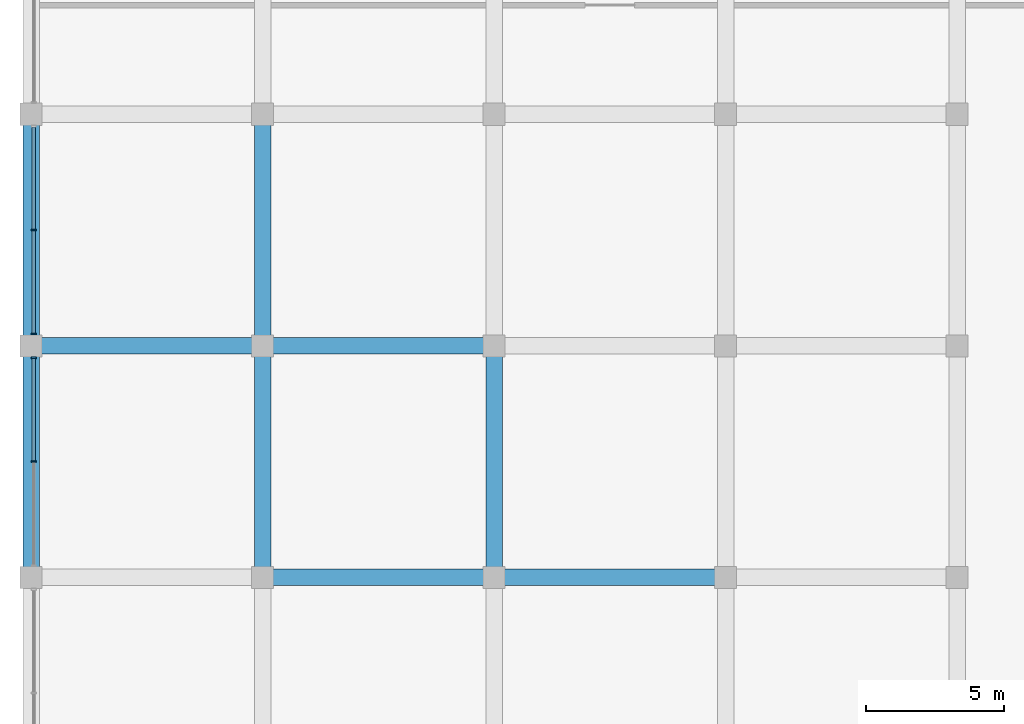
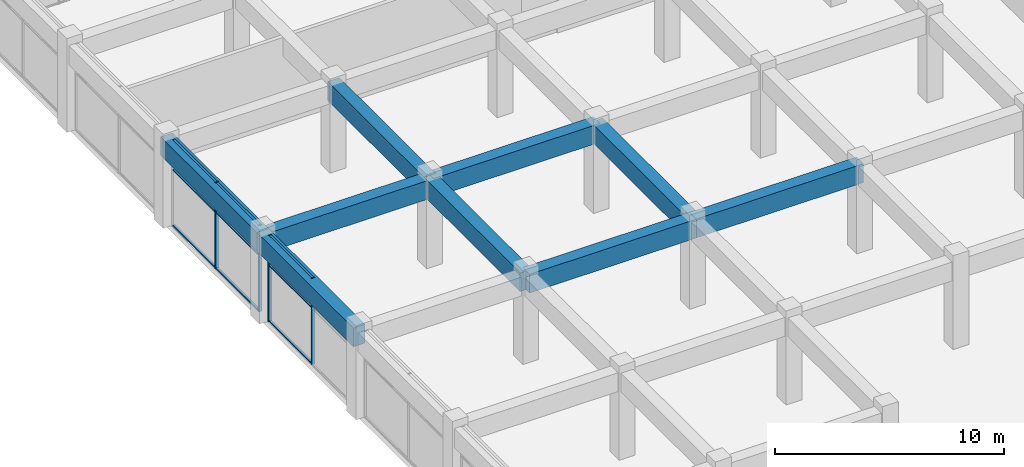
# One storey, part 9 of 33: 13 members, 9 beams, 2 elements without a shape of their own.
"""IFC4 building model written with IfcOpenShell, lengths in metres."""

from ifc_helpers import new_model, si_unit, direction, frame, origin, origin_2d, place, context, subcontext, project, spatial, rectangle, extrude, material, material_profile, profile_set, type_object, element, aggregate, save


model = new_model("IFC4")

# Units and contexts
model_context = context("Model", 3, precision=1e-05, world=origin(), true_north=direction((0.0, 1.0)))
body_context = subcontext(model_context, "Body", "Model", "MODEL_VIEW")
ifc_project = project(units=[si_unit("LENGTHUNIT", "METRE"), si_unit("AREAUNIT", "SQUARE_METRE"), si_unit("VOLUMEUNIT", "CUBIC_METRE"), si_unit("PLANEANGLEUNIT", "RADIAN"), si_unit("MASSUNIT", "GRAM", prefix="KILO")], contexts=[model_context])

# Site, building, storey
site_placement = place(None, origin())
site = spatial("IfcSite", under=ifc_project, at=site_placement, CompositionType="ELEMENT")
building_placement = place(site_placement, origin())
building = spatial("IfcBuilding", under=site, at=building_placement, Name="Impinga Residences", CompositionType="ELEMENT")
storey_placement = place(building_placement, frame((0.0, 0.0, 21.0)))
storey = spatial("IfcBuildingStorey", under=building, at=storey_placement, Name="L04", CompositionType="ELEMENT", Elevation=21.0)

# Curtain wall, members
ifc_material_1 = material(Name="Aluminium stick curtain wall", Category="aluminium")
curtain_wall_type = type_object("IfcCurtainWallType", Name="CW1 podium amenity curtain wall", PredefinedType="USERDEFINED", material=ifc_material_1)
curtain_wall_1_placement = place(storey_placement, origin())
curtain_wall_1 = element("IfcCurtainWall", 1, at=curtain_wall_1_placement, inside=storey, type_object=curtain_wall_type, Name="Curtain wall CW1 L04", ObjectType="STICK CURTAIN WALL", PredefinedType="USERDEFINED")
ifc_material_2 = material(Name="Aluminium mullion", Category="aluminium")
ifc_material_profile_1 = material_profile(ifc_material_2, rectangle(XDim=0.06005859375, YDim=0.179931640625, at=origin_2d()), Name="60x180 mullion")
ifc_profile_set_1 = profile_set([ifc_material_profile_1], Name="Aluminium mullion")
member_type_1 = type_object("IfcMemberType", Name="CW1-M mullion 60x180", PredefinedType="MULLION", material=ifc_profile_set_1)
member_1_placement = place(storey_placement, frame((-50.300048828125, 21.0, 0.0), z_axis=(0.0, 0.0, 1.0), x_axis=(0.0, 1.0, 0.0)))
member_1 = element("IfcMember", 2, at=member_1_placement, type_object=member_type_1, Name="CW1 mullion 2", PredefinedType="MULLION", context=body_context, shape_type="SweptSolid", body=[
    extrude(rectangle(XDim=0.06005859375, YDim=0.179931640625, at=origin_2d()), origin(), (0.0, 0.0, 1.0), 4.60009765625),
])
member_2_placement = place(storey_placement, frame((-50.300048828125, 24.76708984375, 0.0), z_axis=(0.0, 0.0, 1.0), x_axis=(0.0, 1.0, 0.0)))
member_2 = element("IfcMember", 3, at=member_2_placement, type_object=member_type_1, Name="CW1 mullion 3", PredefinedType="MULLION", context=body_context, shape_type="SweptSolid", body=[
    extrude(rectangle(XDim=0.06005859375, YDim=0.179931640625, at=origin_2d()), origin(), (0.0, 0.0, 1.0), 4.60009765625),
])

curtain_wall_2_placement = place(storey_placement, origin())
curtain_wall_2 = element("IfcCurtainWall", 4, at=curtain_wall_2_placement, inside=storey, type_object=curtain_wall_type, Name="Curtain wall CW1 L04", ObjectType="STICK CURTAIN WALL", PredefinedType="USERDEFINED")
member_3_placement = place(storey_placement, frame((-50.300048828125, 25.633056640625, 0.0), z_axis=(0.0, 0.0, 1.0), x_axis=(0.0, 1.0, 0.0)))
member_3 = element("IfcMember", 5, at=member_3_placement, type_object=member_type_1, Name="CW1 mullion 1", PredefinedType="MULLION", context=body_context, shape_type="SweptSolid", body=[
    extrude(rectangle(XDim=0.06005859375, YDim=0.179931640625, at=origin_2d()), origin(), (0.0, 0.0, 1.0), 4.60009765625),
])
member_4_placement = place(storey_placement, frame((-50.300048828125, 29.39990234375, 0.0), z_axis=(0.0, 0.0, 1.0), x_axis=(0.0, 1.0, 0.0)))
member_4 = element("IfcMember", 6, at=member_4_placement, type_object=member_type_1, Name="CW1 mullion 2", PredefinedType="MULLION", context=body_context, shape_type="SweptSolid", body=[
    extrude(rectangle(XDim=0.06005859375, YDim=0.179931640625, at=origin_2d()), origin(), (0.0, 0.0, 1.0), 4.60009765625),
])

# Member
ifc_material_3 = material(Name="Aluminium transom", Category="aluminium")
ifc_material_profile_2 = material_profile(ifc_material_3, rectangle(XDim=0.06005859375, YDim=0.1201171875, at=origin_2d()), Name="60x120 transom")
ifc_profile_set_2 = profile_set([ifc_material_profile_2], Name="Aluminium transom")
member_type_2 = type_object("IfcMemberType", Name="CW1-T transom 60x120", PredefinedType="USERDEFINED", material=ifc_profile_set_2)
member_5_placement = place(storey_placement, frame((-50.300048828125, 21.030029296875, 0.030029296875), z_axis=(0.0, 1.0, 0.0), x_axis=(0.0, 0.0, 1.0)))
member_5 = element("IfcMember", 7, at=member_5_placement, type_object=member_type_2, Name="CW1 transom 2.1", ObjectType="TRANSOM", PredefinedType="USERDEFINED", context=body_context, shape_type="SweptSolid", body=[
    extrude(rectangle(XDim=0.06005859375, YDim=0.1201171875, at=origin_2d()), origin(), (0.0, 0.0, 1.0), 3.70703125),
])

member_6_placement = place(storey_placement, frame((-50.300048828125, 21.030029296875, 3.0), z_axis=(0.0, 1.0, 0.0), x_axis=(0.0, 0.0, 1.0)))
member_6 = element("IfcMember", 8, at=member_6_placement, type_object=member_type_2, Name="CW1 transom 2.2", ObjectType="TRANSOM", PredefinedType="USERDEFINED", context=body_context, shape_type="SweptSolid", body=[
    extrude(rectangle(XDim=0.06005859375, YDim=0.1201171875, at=origin_2d()), origin(), (0.0, 0.0, 1.0), 3.70703125),
])

member_7_placement = place(storey_placement, frame((-50.300048828125, 21.030029296875, 4.570068359375), z_axis=(0.0, 1.0, 0.0), x_axis=(0.0, 0.0, 1.0)))
member_7 = element("IfcMember", 9, at=member_7_placement, type_object=member_type_2, Name="CW1 transom 2.3", ObjectType="TRANSOM", PredefinedType="USERDEFINED", context=body_context, shape_type="SweptSolid", body=[
    extrude(rectangle(XDim=0.06005859375, YDim=0.1201171875, at=origin_2d()), origin(), (0.0, 0.0, 1.0), 3.70703125),
])

aggregate(curtain_wall_1, [member_1, member_2, member_5, member_6, member_7])

member_8_placement = place(storey_placement, frame((-50.300048828125, 25.6630859375, 0.030029296875), z_axis=(0.0, 1.0, 0.0), x_axis=(0.0, 0.0, 1.0)))
member_8 = element("IfcMember", 10, at=member_8_placement, type_object=member_type_2, Name="CW1 transom 1.1", ObjectType="TRANSOM", PredefinedType="USERDEFINED", context=body_context, shape_type="SweptSolid", body=[
    extrude(rectangle(XDim=0.06005859375, YDim=0.1201171875, at=origin_2d()), origin(), (0.0, 0.0, 1.0), 3.70703125),
])

member_9_placement = place(storey_placement, frame((-50.300048828125, 25.6630859375, 3.0), z_axis=(0.0, 1.0, 0.0), x_axis=(0.0, 0.0, 1.0)))
member_9 = element("IfcMember", 11, at=member_9_placement, type_object=member_type_2, Name="CW1 transom 1.2", ObjectType="TRANSOM", PredefinedType="USERDEFINED", context=body_context, shape_type="SweptSolid", body=[
    extrude(rectangle(XDim=0.06005859375, YDim=0.1201171875, at=origin_2d()), origin(), (0.0, 0.0, 1.0), 3.70703125),
])

member_10_placement = place(storey_placement, frame((-50.300048828125, 25.6630859375, 4.570068359375), z_axis=(0.0, 1.0, 0.0), x_axis=(0.0, 0.0, 1.0)))
member_10 = element("IfcMember", 12, at=member_10_placement, type_object=member_type_2, Name="CW1 transom 1.3", ObjectType="TRANSOM", PredefinedType="USERDEFINED", context=body_context, shape_type="SweptSolid", body=[
    extrude(rectangle(XDim=0.06005859375, YDim=0.1201171875, at=origin_2d()), origin(), (0.0, 0.0, 1.0), 3.70703125),
])

member_11_placement = place(storey_placement, frame((-50.300048828125, 29.429931640625, 0.030029296875), z_axis=(0.0, 1.0, 0.0), x_axis=(0.0, 0.0, 1.0)))
member_11 = element("IfcMember", 13, at=member_11_placement, type_object=member_type_2, Name="CW1 transom 2.1", ObjectType="TRANSOM", PredefinedType="USERDEFINED", context=body_context, shape_type="SweptSolid", body=[
    extrude(rectangle(XDim=0.06005859375, YDim=0.1201171875, at=origin_2d()), origin(), (0.0, 0.0, 1.0), 3.70703125),
])

member_12_placement = place(storey_placement, frame((-50.300048828125, 29.429931640625, 3.0), z_axis=(0.0, 1.0, 0.0), x_axis=(0.0, 0.0, 1.0)))
member_12 = element("IfcMember", 14, at=member_12_placement, type_object=member_type_2, Name="CW1 transom 2.2", ObjectType="TRANSOM", PredefinedType="USERDEFINED", context=body_context, shape_type="SweptSolid", body=[
    extrude(rectangle(XDim=0.06005859375, YDim=0.1201171875, at=origin_2d()), origin(), (0.0, 0.0, 1.0), 3.70703125),
])

member_13_placement = place(storey_placement, frame((-50.300048828125, 29.429931640625, 4.570068359375), z_axis=(0.0, 1.0, 0.0), x_axis=(0.0, 0.0, 1.0)))
member_13 = element("IfcMember", 15, at=member_13_placement, type_object=member_type_2, Name="CW1 transom 2.3", ObjectType="TRANSOM", PredefinedType="USERDEFINED", context=body_context, shape_type="SweptSolid", body=[
    extrude(rectangle(XDim=0.06005859375, YDim=0.1201171875, at=origin_2d()), origin(), (0.0, 0.0, 1.0), 3.70703125),
])

aggregate(curtain_wall_2, [member_3, member_4, member_8, member_9, member_10, member_11, member_12, member_13])

# Beams
ifc_material_4 = material(Name="Concrete C60/75", Category="concrete")
ifc_material_profile_3 = material_profile(ifc_material_4, rectangle(XDim=0.60009765625, YDim=1.0, at=origin_2d()), Name="RC 600x1000")
ifc_profile_set_3 = profile_set([ifc_material_profile_3], Name="Concrete C60/75")
beam_type = type_object("IfcBeamType", Name="PB2 600x1000 podium beam", PredefinedType="BEAM", material=ifc_profile_set_3)
beam_1_placement = place(storey_placement, frame((-42.0, 16.800048828125, 4.10009765625), z_axis=(1.0, 0.0, 0.0), x_axis=(0.0, 1.0, 0.0)))
element("IfcBeam", 16, at=beam_1_placement, inside=storey, type_object=beam_type, Name="Beam PB2 H/2-3 level L05", PredefinedType="BEAM", context=body_context, shape_type="SweptSolid", body=[
    extrude(rectangle(XDim=0.60009765625, YDim=1.0, at=origin_2d()), origin(), (0.0, 0.0, 1.0), 8.39990234375),
])
beam_2_placement = place(storey_placement, frame((-33.60009765625, 16.800048828125, 4.10009765625), z_axis=(1.0, 0.0, 0.0), x_axis=(0.0, 1.0, 0.0)))
element("IfcBeam", 17, at=beam_2_placement, inside=storey, type_object=beam_type, Name="Beam PB2 H/3-4 level L05", PredefinedType="BEAM", context=body_context, shape_type="SweptSolid", body=[
    extrude(rectangle(XDim=0.60009765625, YDim=1.0, at=origin_2d()), origin(), (0.0, 0.0, 1.0), 8.400146484375),
])
for number, where, z_axis, x_axis, name in (
    (18, (-50.39990234375, 25.199951171875, 4.10009765625), (1.0, 0.0, 0.0), (0.0, 1.0, 0.0), "Beam PB2 J/1-2 level L05"),
    (19, (-42.0, 25.199951171875, 4.10009765625), (1.0, 0.0, 0.0), (0.0, 1.0, 0.0), "Beam PB2 J/2-3 level L05"),
    (20, (-50.39990234375, 16.800048828125, 4.10009765625), (0.0, 1.0, 0.0), (-1.0, 0.0, 0.0), "Beam PB2 1/H-J level L05"),
):
    element("IfcBeam", number, at=place(storey_placement, frame(where, z_axis=z_axis, x_axis=x_axis)), inside=storey, type_object=beam_type, Name=name, PredefinedType="BEAM", context=body_context, shape_type="SweptSolid", body=[
        extrude(rectangle(XDim=0.60009765625, YDim=1.0, at=origin_2d()), origin(), (0.0, 0.0, 1.0), 8.39990234375),
    ])
beam_3_placement = place(storey_placement, frame((-50.39990234375, 25.199951171875, 4.10009765625), z_axis=(0.0, 1.0, 0.0), x_axis=(-1.0, 0.0, 0.0)))
element("IfcBeam", 21, at=beam_3_placement, inside=storey, type_object=beam_type, Name="Beam PB2 1/J-K level L05", PredefinedType="BEAM", context=body_context, shape_type="SweptSolid", body=[
    extrude(rectangle(XDim=0.60009765625, YDim=1.0, at=origin_2d()), origin(), (0.0, 0.0, 1.0), 8.400146484375),
])
beam_4_placement = place(storey_placement, frame((-42.0, 16.800048828125, 4.10009765625), z_axis=(0.0, 1.0, 0.0), x_axis=(-1.0, 0.0, 0.0)))
element("IfcBeam", 22, at=beam_4_placement, inside=storey, type_object=beam_type, Name="Beam PB2 2/H-J level L05", PredefinedType="BEAM", context=body_context, shape_type="SweptSolid", body=[
    extrude(rectangle(XDim=0.60009765625, YDim=1.0, at=origin_2d()), origin(), (0.0, 0.0, 1.0), 8.39990234375),
])
beam_5_placement = place(storey_placement, frame((-42.0, 25.199951171875, 4.10009765625), z_axis=(0.0, 1.0, 0.0), x_axis=(-1.0, 0.0, 0.0)))
element("IfcBeam", 23, at=beam_5_placement, inside=storey, type_object=beam_type, Name="Beam PB2 2/J-K level L05", PredefinedType="BEAM", context=body_context, shape_type="SweptSolid", body=[
    extrude(rectangle(XDim=0.60009765625, YDim=1.0, at=origin_2d()), origin(), (0.0, 0.0, 1.0), 8.400146484375),
])
beam_6_placement = place(storey_placement, frame((-33.60009765625, 16.800048828125, 4.10009765625), z_axis=(0.0, 1.0, 0.0), x_axis=(-1.0, 0.0, 0.0)))
element("IfcBeam", 24, at=beam_6_placement, inside=storey, type_object=beam_type, Name="Beam PB2 3/H-J level L05", PredefinedType="BEAM", context=body_context, shape_type="SweptSolid", body=[
    extrude(rectangle(XDim=0.60009765625, YDim=1.0, at=origin_2d()), origin(), (0.0, 0.0, 1.0), 8.39990234375),
])

save(model, "model.ifc")
